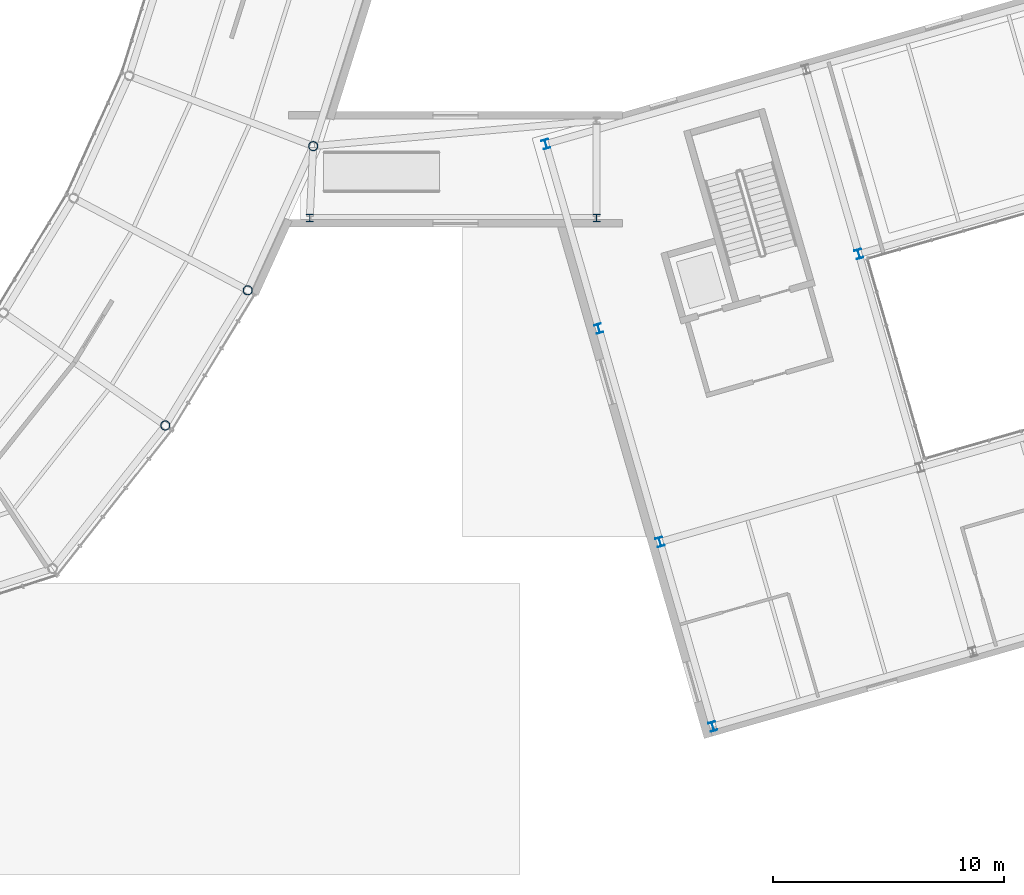
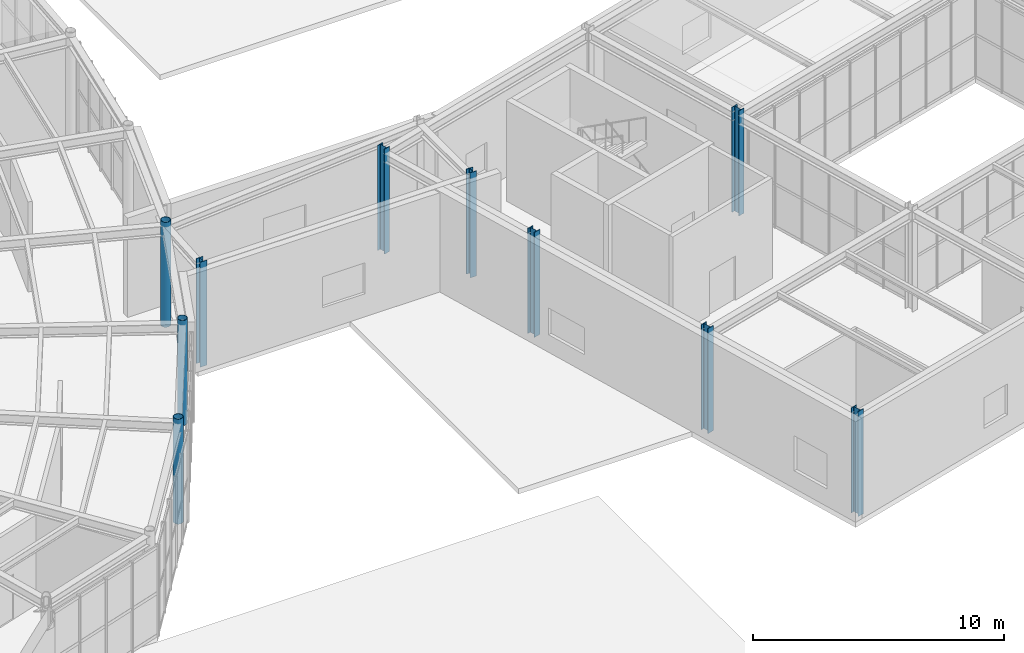
# One storey, part 6 of 97: 10 columns.
"""IFC4 building model written with IfcOpenShell, lengths in metres."""

from ifc_helpers import new_model, si_unit, direction, frame, origin, origin_2d, place, context, subcontext, project, spatial, hollow_circle, i_section, extrude, material, material_profile, profile_set, type_object, element, save


model = new_model("IFC4")

# Units and contexts
model_context = context("Model", 3, precision=1e-05, world=origin(), true_north=direction((0.0, 1.0)))
body_context = subcontext(model_context, "Body", "Model", "MODEL_VIEW")
ifc_project = project(units=[si_unit("LENGTHUNIT", "METRE"), si_unit("AREAUNIT", "SQUARE_METRE"), si_unit("VOLUMEUNIT", "CUBIC_METRE"), si_unit("PLANEANGLEUNIT", "RADIAN"), si_unit("MASSUNIT", "GRAM", prefix="KILO")], contexts=[model_context])

# Site, building, storey
site_placement = place(None, origin())
site = spatial("IfcSite", under=ifc_project, at=site_placement, CompositionType="ELEMENT")
building_placement = place(site_placement, origin())
building = spatial("IfcBuilding", under=site, at=building_placement, Name="Varnklinge Art Gallery", CompositionType="ELEMENT")
storey_placement = place(building_placement, origin())
storey = spatial("IfcBuildingStorey", under=building, at=storey_placement, Name="L00", CompositionType="ELEMENT", Elevation=0.0)

# Columns
ifc_material_1 = material(Name="Steel S355", Category="steel")
ifc_material_profile_1 = material_profile(ifc_material_1, i_section(OverallWidth=0.300048828125, OverallDepth=0.39990234375, WebThickness=0.013427734375, FlangeThickness=0.02392578125, FilletRadius=0.027099609375, at=origin_2d()), Name="HEB 400")
ifc_profile_set_1 = profile_set([ifc_material_profile_1], Name="Steel S355")
column_type_1 = type_object("IfcColumnType", Name="COL-07", PredefinedType="COLUMN", material=ifc_profile_set_1)
column_placement = place(storey_placement, frame((131.140380859375, 30.23974609375, 0.0), z_axis=(0.0, 0.0, 1.0), x_axis=(0.961261695938, 0.275637355817, 0.0)))
element("IfcColumn", 1, at=column_placement, inside=storey, type_object=column_type_1, Name="L00 Column V6C-2-3", PredefinedType="COLUMN", context=body_context, shape_type="SweptSolid", body=[
    extrude(i_section(OverallWidth=0.300048828125, OverallDepth=0.39990234375, WebThickness=0.013427734375, FlangeThickness=0.02392578125, FilletRadius=0.027099609375, at=origin_2d()), origin(), (0.0, 0.0, 1.0), 5.10009765625),
])
ifc_material_2 = material(Name="Steel S355", Category="steel")
ifc_material_profile_2 = material_profile(ifc_material_2, i_section(OverallWidth=0.300048828125, OverallDepth=0.320068359375, WebThickness=0.011474609375, FlangeThickness=0.0205078125, FilletRadius=0.027099609375, at=origin_2d()), Name="HEB 320")
ifc_profile_set_2 = profile_set([ifc_material_profile_2], Name="Steel S355")
column_type_2 = type_object("IfcColumnType", Name="COL-09", PredefinedType="COLUMN", material=ifc_profile_set_2)
for number, where, z_axis, x_axis, name in (
    (2, (107.39990234375, 31.800048828125, 0.0), (0.0, 0.0, 1.0), (1.0, 0.0, 0.0), "L00 Column LNK-V6-C1"),
    (3, (119.800048828125, 31.800048828125, 0.0), (0.0, 0.0, 1.0), (1.0, 0.0, 0.0), "L00 Column LNK-V6-C2"),
):
    element("IfcColumn", number, at=place(storey_placement, frame(where, z_axis=z_axis, x_axis=x_axis)), inside=storey, type_object=column_type_2, Name=name, PredefinedType="COLUMN", context=body_context, shape_type="SweptSolid", body=[
        extrude(i_section(OverallWidth=0.300048828125, OverallDepth=0.320068359375, WebThickness=0.011474609375, FlangeThickness=0.0205078125, FilletRadius=0.027099609375, at=origin_2d()), origin(), (0.0, 0.0, 1.0), 5.10009765625),
    ])
ifc_material_3 = material(Name="Steel S355", Category="steel")
ifc_material_profile_3 = material_profile(ifc_material_3, i_section(OverallWidth=0.300048828125, OverallDepth=0.39990234375, WebThickness=0.013427734375, FlangeThickness=0.02392578125, FilletRadius=0.027099609375, at=origin_2d()), Name="HEB 400")
ifc_profile_set_3 = profile_set([ifc_material_profile_3], Name="Steel S355")
column_type_3 = type_object("IfcColumnType", Name="COL-E3", PredefinedType="COLUMN", material=ifc_profile_set_3)
for number, where, z_axis, x_axis, name in (
    (4, (124.827392578125, 9.80810546875, 0.0), (0.0, 0.0, 1.0), (0.961261695938, 0.275637355817, 0.0), "L00 Column V6C-1-1"),
    (5, (122.539794921875, 17.78662109375, 0.0), (0.0, 0.0, 1.0), (0.961261695938, 0.275637355817, 0.0), "L00 Column V6C-1-2"),
    (6, (119.8935546875, 27.014892578125, 0.0), (0.0, 0.0, 1.0), (0.961261695938, 0.275637355817, 0.0), "L00 Column V6C-1-3"),
    (7, (117.605712890625, 34.9931640625, 0.0), (0.0, 0.0, 1.0), (0.961261695938, 0.275637355817, 0.0), "L00 Column V6C-1-4"),
):
    element("IfcColumn", number, at=place(storey_placement, frame(where, z_axis=z_axis, x_axis=x_axis)), inside=storey, type_object=column_type_3, Name=name, PredefinedType="COLUMN", context=body_context, shape_type="SweptSolid", body=[
        extrude(i_section(OverallWidth=0.300048828125, OverallDepth=0.39990234375, WebThickness=0.013427734375, FlangeThickness=0.02392578125, FilletRadius=0.027099609375, at=origin_2d()), origin(), (0.0, 0.0, 1.0), 5.10009765625),
    ])
ifc_material_4 = material(Name="Steel S355", Category="steel")
ifc_material_profile_4 = material_profile(ifc_material_4, hollow_circle(Radius=0.203125, WallThickness=0.02001953125, at=origin_2d()), Name="CHS 406.4x20")
ifc_profile_set_4 = profile_set([ifc_material_profile_4], Name="Steel S355")
column_type_4 = type_object("IfcColumnType", Name="COL-E5", PredefinedType="COLUMN", material=ifc_profile_set_4)
for number, where, z_axis, x_axis, name in (
    (8, (101.14990234375, 22.8251953125, 0.0), (0.0, 0.0, 1.0), (-0.820351542489, 0.571859551582, 0.0), "L00 Column V2CO-02"),
    (9, (104.71630859375, 28.6689453125, 0.0), (0.0, 0.0, 1.0), (-0.883683947469, 0.468084053333, 0.0), "L00 Column V2CO-03"),
    (10, (107.54638671875, 34.90283203125, 0.0), (0.0, 0.0, 1.0), (-0.934017558691, 0.357227098715, 0.0), "L00 Column V2CO-04"),
):
    element("IfcColumn", number, at=place(storey_placement, frame(where, z_axis=z_axis, x_axis=x_axis)), inside=storey, type_object=column_type_4, Name=name, PredefinedType="COLUMN", context=body_context, shape_type="SweptSolid", body=[
        extrude(hollow_circle(Radius=0.203125, WallThickness=0.02001953125, at=origin_2d()), origin(), (0.0, 0.0, 1.0), 5.10009765625),
    ])

save(model, "model.ifc")
